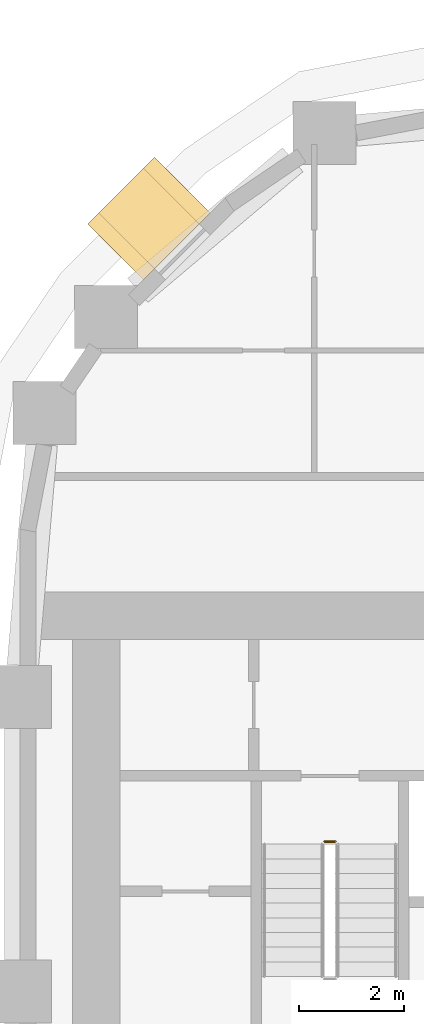
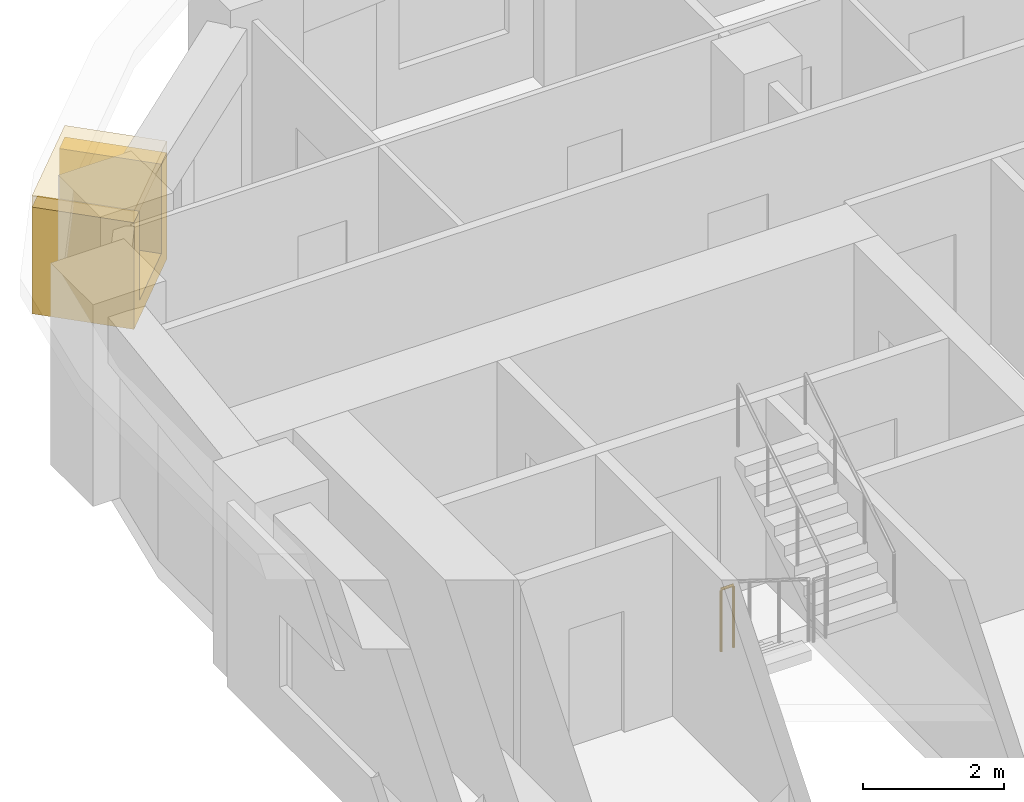
# One storey, part 20 of 22: 2 coverings, 1 railing.
"""IFC4 building model written with IfcOpenShell, lengths in metres."""

from ifc_helpers import new_model, si_unit, direction, frame, origin, origin_2d, place, context, subcontext, project, spatial, polyline, rectangle, circle, outline, extrude, material, layer, layer_set, type_object, element, save


model = new_model("IFC4")

# Units and contexts
model_context = context("Model", 3, precision=1e-05, world=origin(), true_north=direction((0.0, 1.0)))
body_context = subcontext(model_context, "Body", "Model", "MODEL_VIEW")
ifc_project = project(units=[si_unit("LENGTHUNIT", "METRE"), si_unit("AREAUNIT", "SQUARE_METRE"), si_unit("VOLUMEUNIT", "CUBIC_METRE"), si_unit("PLANEANGLEUNIT", "RADIAN"), si_unit("MASSUNIT", "GRAM", prefix="KILO")], contexts=[model_context])

# Site, building, storey
site_placement = place(None, origin())
site = spatial("IfcSite", under=ifc_project, at=site_placement, CompositionType="ELEMENT")
building_placement = place(site_placement, origin())
building = spatial("IfcBuilding", under=site, at=building_placement, Name="Kiln Ring Residences", CompositionType="ELEMENT")
storey_placement = place(building_placement, frame((0.0, 0.0, 111.300048828125)))
storey = spatial("IfcBuildingStorey", under=building, at=storey_placement, Name="L28", CompositionType="ELEMENT", Elevation=111.300048828125)

# Railing
ifc_material_1 = material(Name="Stainless steel", Category="steel")
railing_type = type_object("IfcRailingType", Name="CORE-STAIR-GUARD", PredefinedType="GUARDRAIL", material=ifc_material_1)
railing_placement = place(storey_placement, frame((-22.199951171875, 8.449951171875, 0.0)))
element("IfcRailing", 1, at=railing_placement, inside=storey, type_object=railing_type, Name="L28 W-STN stair guard 4", PredefinedType="GUARDRAIL", context=body_context, shape_type="SweptSolid", body=[
    extrude(circle(Radius=0.02392578125, at=origin_2d()), frame((0.0, 0.0, 1.076171875), z_axis=(1.0, 0.0, 0.0), x_axis=(0.0, 1.0, 0.0)), (0.0, 0.0, 1.0), 0.199951171875),
    extrude(circle(Radius=0.02099609375, at=origin_2d()), origin(), (0.0, 0.0, 1.0), 1.052001953125),
    extrude(circle(Radius=0.02099609375, at=origin_2d()), frame((0.199951171875, 0.0, 0.0)), (0.0, 0.0, 1.0), 1.052001953125),
])

# Coverings
ifc_material_2 = material(Name="Brick masonry, dark clay brick", Category="masonry")
ifc_layer_1 = layer(ifc_material_2, 0.300048828125)
ifc_layer_set_1 = layer_set([ifc_layer_1], Name="FRAME CHEEKS AND SILL 1500")
covering_type_1 = type_object("IfcCoveringType", Name="FRAME CHEEKS AND SILL 1500", PredefinedType="CLADDING", material=ifc_layer_set_1)
covering_1_placement = place(storey_placement, frame((-24.91015625, 20.950439453125, 0.300048828125), z_axis=(0.0, 0.0, 1.0), x_axis=(-0.707174592913, -0.707038962956, 0.0)))
element("IfcCovering", 2, at=covering_1_placement, inside=storey, type_object=covering_type_1, Name="FRAME L28", PredefinedType="CLADDING", context=body_context, shape_type="SweptSolid", body=[
    extrude(outline(polyline([(0.0, 0.0), (1.800048828125, 0.0), (1.800048828125, 1.849853515625), (1.5009765625, 1.849853515625), (1.5, 0.2998046875), (0.300048828125, 0.2998046875), (0.299072265625, 1.849853515625), (0.0, 1.849853515625), (0.0, 0.0)])), frame((0.0, 0.75, 0.0), z_axis=(0.0, -1.0, 0.0), x_axis=(1.0, 0.0, 0.0)), (0.0, 0.0, 1.0), 1.5),
])
ifc_material_3 = material(Name="Brick masonry, dark clay brick", Category="masonry")
ifc_layer_2 = layer(ifc_material_3, 0.199951171875)
ifc_layer_set_2 = layer_set([ifc_layer_2], Name="FRAME HEAD 1500")
covering_type_2 = type_object("IfcCoveringType", Name="FRAME HEAD 1500", PredefinedType="CLADDING", material=ifc_layer_set_2)
covering_2_placement = place(storey_placement, frame((-25.546630859375, 20.31396484375, 2.14990234375), z_axis=(0.0, 0.0, 1.0), x_axis=(-0.707106781187, -0.707106781187, 0.0)))
element("IfcCovering", 3, at=covering_2_placement, inside=storey, type_object=covering_type_2, Name="FRAME HEAD L28", PredefinedType="CLADDING", context=body_context, shape_type="SweptSolid", body=[
    extrude(rectangle(XDim=1.800048828125, YDim=1.5, at=origin_2d()), origin(), (0.0, 0.0, 1.0), 0.199951171875),
])

save(model, "model.ifc")
